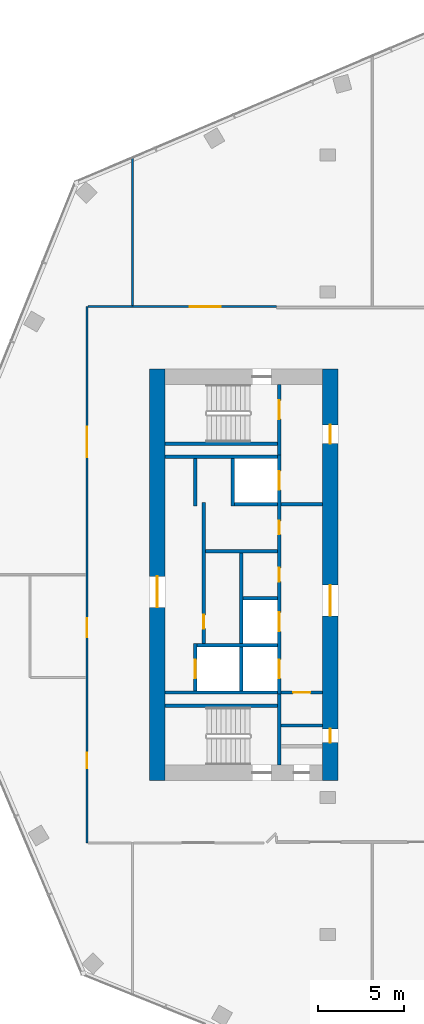
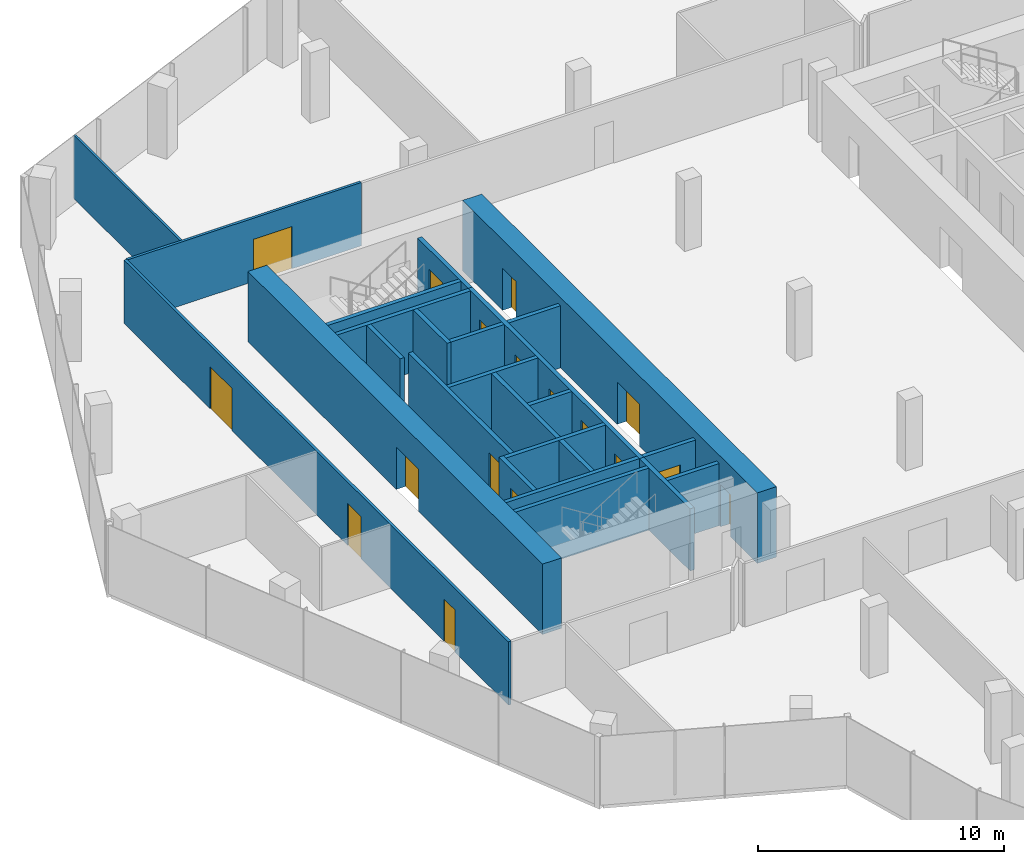
# One storey, part 13 of 17: 25 walls, 17 doors, 17 openings.
"""IFC4 building model written with IfcOpenShell, lengths in metres."""

from ifc_helpers import new_model, si_unit, direction, frame, frame_2d, origin, place, context, subcontext, project, spatial, rectangle, extrude, material, layer, layer_set, type_object, element, fill, save


model = new_model("IFC4")

# Units and contexts
model_context = context("Model", 3, precision=1e-05, world=origin(), true_north=direction((0.0, 1.0)))
body_context = subcontext(model_context, "Body", "Model", "MODEL_VIEW")
ifc_project = project(units=[si_unit("LENGTHUNIT", "METRE"), si_unit("AREAUNIT", "SQUARE_METRE"), si_unit("VOLUMEUNIT", "CUBIC_METRE"), si_unit("PLANEANGLEUNIT", "RADIAN"), si_unit("MASSUNIT", "GRAM", prefix="KILO")], contexts=[model_context])

# Site, building, storey
site_placement = place(None, origin())
site = spatial("IfcSite", under=ifc_project, at=site_placement, CompositionType="ELEMENT")
building_placement = place(site_placement, origin())
building = spatial("IfcBuilding", under=site, at=building_placement, Name="Orlundy Tower", CompositionType="ELEMENT")
storey_placement = place(building_placement, frame((0.0, 0.0, 289.39990234375)))
storey = spatial("IfcBuildingStorey", under=building, at=storey_placement, Name="L77", CompositionType="ELEMENT", Elevation=289.39990234375)

# Wall, opening, door
ifc_material_1 = material(Name="Concrete C50/60", Category="concrete")
ifc_layer_1 = layer(ifc_material_1, 0.89990234375)
ifc_layer_set_1 = layer_set([ifc_layer_1], Name="CORE WALL 900 C50/60")
wall_type_1 = type_object("IfcWallType", Name="CORE WALL 900 C50/60", PredefinedType="SHEAR", material=ifc_layer_set_1)
wall_1_placement = place(storey_placement, frame((-18.550048828125, -12.0, 0.0), z_axis=(0.0, 0.0, 1.0), x_axis=(0.0, 1.0, 0.0)))
wall_1 = element("IfcWall", 1, at=wall_1_placement, inside=storey, type_object=wall_type_1, Name="Core wall W-W L77", PredefinedType="SHEAR", context=body_context, shape_type="SweptSolid", body=[
    extrude(rectangle(XDim=24.0, YDim=0.89990234375, at=frame_2d((12.0, 0.0))), origin(), (0.0, 0.0, 1.0), 3.5),
])
opening_1_placement = place(wall_1_placement, frame((10.10009765625, 0.0, 0.0)))
opening_1 = element("IfcOpeningElement", 2, at=opening_1_placement, cuts=wall_1, Name="Opening 59009", PredefinedType="OPENING", context=body_context, shape_type="SweptSolid", body=[
    extrude(rectangle(XDim=1.800048828125, YDim=2.10009765625, at=frame_2d((0.89990234375, 1.050048828125))), frame((0.0, 0.4599609375, 0.0), z_axis=(0.0, -1.0, 0.0), x_axis=(1.0, 0.0, 0.0)), (0.0, 0.0, 1.0), 0.919921875),
])
ifc_material_2 = material(Name="Timber door set", Category="wood")
door_type_1 = type_object("IfcDoorType", Name="Lobby Door 1800x2100", OperationType="DOUBLE_DOOR_DOUBLE_SWING", PredefinedType="DOOR", material=ifc_material_2)
door_1_placement = place(opening_1_placement, origin())
door_1 = element("IfcDoor", 3, at=door_1_placement, inside=storey, type_object=door_type_1, Name="Lift lobby door 59009", OperationType="SINGLE_SWING_LEFT", OverallHeight=2.10009765625, OverallWidth=1.800048828125, PredefinedType="DOOR", context=body_context, shape_type="SweptSolid", body=[
    extrude(rectangle(XDim=1.800048828125, YDim=2.10009765625, at=frame_2d((0.89990234375, 1.050048828125))), frame((0.0, 0.02490234375, 0.0), z_axis=(0.0, -1.0, 0.0), x_axis=(1.0, 0.0, 0.0)), (0.0, 0.0, 1.0), 0.050048828125),
])
fill(opening_1, door_1)

# Wall, openings, doors
wall_2_placement = place(storey_placement, frame((-8.449951171875, -12.0, 0.0), z_axis=(0.0, 0.0, 1.0), x_axis=(0.0, 1.0, 0.0)))
wall_2 = element("IfcWall", 4, at=wall_2_placement, inside=storey, type_object=wall_type_1, Name="Core wall W-E L77", PredefinedType="SHEAR", context=body_context, shape_type="SweptSolid", body=[
    extrude(rectangle(XDim=24.0, YDim=0.89990234375, at=frame_2d((12.0, 0.0))), origin(), (0.0, 0.0, 1.0), 3.5),
])
opening_2_placement = place(wall_2_placement, frame((9.60009765625, 0.0, 0.0)))
opening_2 = element("IfcOpeningElement", 5, at=opening_2_placement, cuts=wall_2, Name="Opening 59008", PredefinedType="OPENING", context=body_context, shape_type="SweptSolid", body=[
    extrude(rectangle(XDim=1.800048828125, YDim=2.10009765625, at=frame_2d((0.89990234375, 1.050048828125))), frame((0.0, 0.4599609375, 0.0), z_axis=(0.0, -1.0, 0.0), x_axis=(1.0, 0.0, 0.0)), (0.0, 0.0, 1.0), 0.919921875),
])
opening_3_placement = place(wall_2_placement, frame((19.64990234375, 0.0, 0.0)))
opening_3 = element("IfcOpeningElement", 6, at=opening_3_placement, cuts=wall_2, Name="Opening 59010", PredefinedType="OPENING", context=body_context, shape_type="SweptSolid", body=[
    extrude(rectangle(XDim=1.10009765625, YDim=2.10009765625, at=frame_2d((0.550048828125, 1.050048828125))), frame((0.0, 0.4599609375, 0.0), z_axis=(0.0, -1.0, 0.0), x_axis=(1.0, 0.0, 0.0)), (0.0, 0.0, 1.0), 0.919921875),
])
opening_4_placement = place(wall_2_placement, frame((2.199951171875, 0.0, 0.0)))
opening_4 = element("IfcOpeningElement", 7, at=opening_4_placement, cuts=wall_2, Name="Opening 59015", PredefinedType="OPENING", context=body_context, shape_type="SweptSolid", body=[
    extrude(rectangle(XDim=0.800048828125, YDim=2.10009765625, at=frame_2d((0.39990234375, 1.050048828125))), frame((0.0, 0.4599609375, 0.0), z_axis=(0.0, -1.0, 0.0), x_axis=(1.0, 0.0, 0.0)), (0.0, 0.0, 1.0), 0.919921875),
])
ifc_material_3 = material(Name="Steel door set", Category="steel")
door_type_2 = type_object("IfcDoorType", Name="Fire-fighting Lobby Door 1100x2100", OperationType="SINGLE_SWING_LEFT", PredefinedType="DOOR", material=ifc_material_3)
door_2_placement = place(opening_3_placement, origin())
door_2 = element("IfcDoor", 8, at=door_2_placement, inside=storey, type_object=door_type_2, Name="Fire-fighting lobby door 59010", OperationType="SINGLE_SWING_RIGHT", OverallHeight=2.10009765625, OverallWidth=1.10009765625, PredefinedType="DOOR", context=body_context, shape_type="SweptSolid", body=[
    extrude(rectangle(XDim=1.10009765625, YDim=2.10009765625, at=frame_2d((0.550048828125, 1.050048828125))), frame((0.0, 0.02490234375, 0.0), z_axis=(0.0, -1.0, 0.0), x_axis=(1.0, 0.0, 0.0)), (0.0, 0.0, 1.0), 0.050048828125),
])
fill(opening_3, door_2)
door_3_placement = place(opening_2_placement, origin())
door_3 = element("IfcDoor", 9, at=door_3_placement, inside=storey, type_object=door_type_1, Name="Lift lobby door 59008", OperationType="SINGLE_SWING_LEFT", OverallHeight=2.10009765625, OverallWidth=1.800048828125, PredefinedType="DOOR", context=body_context, shape_type="SweptSolid", body=[
    extrude(rectangle(XDim=1.800048828125, YDim=2.10009765625, at=frame_2d((0.89990234375, 1.050048828125))), frame((0.0, 0.02490234375, 0.0), z_axis=(0.0, -1.0, 0.0), x_axis=(1.0, 0.0, 0.0)), (0.0, 0.0, 1.0), 0.050048828125),
])
fill(opening_2, door_3)
ifc_material_4 = material(Name="Timber door set", Category="wood")
door_type_3 = type_object("IfcDoorType", Name="Riser Door 800x2100", OperationType="SINGLE_SWING_LEFT", PredefinedType="DOOR", material=ifc_material_4)
door_4_placement = place(opening_4_placement, origin())
door_4 = element("IfcDoor", 10, at=door_4_placement, inside=storey, type_object=door_type_3, Name="Door 59015", OperationType="SINGLE_SWING_LEFT", OverallHeight=2.10009765625, OverallWidth=0.800048828125, PredefinedType="DOOR", context=body_context, shape_type="SweptSolid", body=[
    extrude(rectangle(XDim=0.800048828125, YDim=2.10009765625, at=frame_2d((0.39990234375, 1.050048828125))), frame((0.0, 0.02490234375, 0.0), z_axis=(0.0, -1.0, 0.0), x_axis=(1.0, 0.0, 0.0)), (0.0, 0.0, 1.0), 0.050048828125),
])
fill(opening_4, door_4)

# Wall
ifc_material_5 = material(Name="Gypsum board partition")
ifc_layer_2 = layer(ifc_material_5, 0.10009765625)
ifc_layer_set_2 = layer_set([ifc_layer_2], Name="Floor partition 100")
wall_type_2 = type_object("IfcWallType", Name="Floor partition 100", PredefinedType="PARTITIONING", material=ifc_layer_set_2)
wall_3_placement = place(storey_placement, frame((-20.0, 15.712890625, 0.0), z_axis=(0.0, 0.0, 1.0), x_axis=(0.0, 1.0, 0.0)))
element("IfcWall", 11, at=wall_3_placement, inside=storey, type_object=wall_type_2, Name="wall-int-L77-028", PredefinedType="PARTITIONING", context=body_context, shape_type="SweptSolid", body=[
    extrude(rectangle(XDim=8.6611328125, YDim=0.10009765625, at=frame_2d((4.33056640625, 0.0))), origin(), (0.0, 0.0, 1.0), 3.150146484375),
])

# Wall, opening, door
ifc_material_6 = material(Name="Gypsum board partition, double layer")
ifc_layer_3 = layer(ifc_material_6, 0.125)
ifc_layer_set_3 = layer_set([ifc_layer_3], Name="Floor partition 125")
wall_type_3 = type_object("IfcWallType", Name="Floor partition 125", PredefinedType="PARTITIONING", material=ifc_layer_set_3)
wall_4_placement = place(storey_placement, frame((-22.5869140625, 15.65087890625, 0.0), z_axis=(0.0, 0.0, 1.0), x_axis=(1.0, 0.0, 0.0)))
wall_4 = element("IfcWall", 12, at=wall_4_placement, inside=storey, type_object=wall_type_3, Name="wall-int-L77-012", PredefinedType="PARTITIONING", context=body_context, shape_type="SweptSolid", body=[
    extrude(rectangle(XDim=10.995849609375, YDim=0.125, at=frame_2d((5.498046875, 0.0))), origin(), (0.0, 0.0, 1.0), 3.150146484375),
])
opening_5_placement = place(wall_4_placement, frame((5.9375, 0.0, 0.0)))
opening_5 = element("IfcOpeningElement", 13, at=opening_5_placement, cuts=wall_4, Name="Opening 59112", PredefinedType="OPENING", context=body_context, shape_type="SweptSolid", body=[
    extrude(rectangle(XDim=1.800048828125, YDim=2.10009765625, at=frame_2d((0.89990234375, 1.050048828125))), frame((0.0, 0.072509765625, 0.0), z_axis=(0.0, -1.0, 0.0), x_axis=(1.0, 0.0, 0.0)), (0.0, 0.0, 1.0), 0.14501953125),
])
ifc_material_7 = material(Name="Timber door leaf", Category="wood")
door_type_4 = type_object("IfcDoorType", Name="Floor door double 1800 FD30S", OperationType="NOTDEFINED", PredefinedType="DOOR", material=ifc_material_7)
door_5_placement = place(opening_5_placement, origin())
door_5 = element("IfcDoor", 14, at=door_5_placement, inside=storey, type_object=door_type_4, Name="Door 59112", OperationType="DOUBLE_DOOR_SINGLE_SWING", OverallHeight=2.10009765625, OverallWidth=1.800048828125, PredefinedType="DOOR", context=body_context, shape_type="SweptSolid", body=[
    extrude(rectangle(XDim=1.800048828125, YDim=2.10009765625, at=frame_2d((0.89990234375, 1.050048828125))), frame((0.0, 0.02490234375, 0.0), z_axis=(0.0, -1.0, 0.0), x_axis=(1.0, 0.0, 0.0)), (0.0, 0.0, 1.0), 0.050048828125),
])
fill(opening_5, door_5)

# Wall, openings, doors
wall_5_placement = place(storey_placement, frame((-22.64990234375, -15.65087890625, 0.0), z_axis=(0.0, 0.0, 1.0), x_axis=(0.0, 1.0, 0.0)))
wall_5 = element("IfcWall", 15, at=wall_5_placement, inside=storey, type_object=wall_type_3, Name="wall-int-L77-029", PredefinedType="PARTITIONING", context=body_context, shape_type="SweptSolid", body=[
    extrude(rectangle(XDim=31.3017578125, YDim=0.125, at=frame_2d((15.65087890625, 0.0))), origin(), (0.0, 0.0, 1.0), 3.150146484375),
])
opening_6_placement = place(wall_5_placement, frame((4.35009765625, 0.0, 0.0)))
opening_6 = element("IfcOpeningElement", 16, at=opening_6_placement, cuts=wall_5, Name="Opening 59100", PredefinedType="OPENING", context=body_context, shape_type="SweptSolid", body=[
    extrude(rectangle(XDim=0.89990234375, YDim=2.10009765625, at=frame_2d((0.449951171875, 1.050048828125))), frame((0.0, 0.072509765625, 0.0), z_axis=(0.0, -1.0, 0.0), x_axis=(1.0, 0.0, 0.0)), (0.0, 0.0, 1.0), 0.14501953125),
])
opening_7_placement = place(wall_5_placement, frame((22.5009765625, 0.0, 0.0)))
opening_7 = element("IfcOpeningElement", 17, at=opening_7_placement, cuts=wall_5, Name="Opening 59113", PredefinedType="OPENING", context=body_context, shape_type="SweptSolid", body=[
    extrude(rectangle(XDim=1.800048828125, YDim=2.10009765625, at=frame_2d((0.89990234375, 1.050048828125))), frame((0.0, 0.072509765625, 0.0), z_axis=(0.0, -1.0, 0.0), x_axis=(1.0, 0.0, 0.0)), (0.0, 0.0, 1.0), 0.14501953125),
])
opening_8_placement = place(wall_5_placement, frame((12.001953125, 0.0, 0.0)))
opening_8 = element("IfcOpeningElement", 18, at=opening_8_placement, cuts=wall_5, Name="Opening 59115", PredefinedType="OPENING", context=body_context, shape_type="SweptSolid", body=[
    extrude(rectangle(XDim=1.10009765625, YDim=2.10009765625, at=frame_2d((0.550048828125, 1.050048828125))), frame((0.0, 0.072509765625, 0.0), z_axis=(0.0, -1.0, 0.0), x_axis=(1.0, 0.0, 0.0)), (0.0, 0.0, 1.0), 0.14501953125),
])
door_6_placement = place(opening_7_placement, origin())
door_6 = element("IfcDoor", 19, at=door_6_placement, inside=storey, type_object=door_type_4, Name="Door 59113", OperationType="DOUBLE_DOOR_SINGLE_SWING", OverallHeight=2.10009765625, OverallWidth=1.800048828125, PredefinedType="DOOR", context=body_context, shape_type="SweptSolid", body=[
    extrude(rectangle(XDim=1.800048828125, YDim=2.10009765625, at=frame_2d((0.89990234375, 1.050048828125))), frame((0.0, 0.02490234375, 0.0), z_axis=(0.0, -1.0, 0.0), x_axis=(1.0, 0.0, 0.0)), (0.0, 0.0, 1.0), 0.050048828125),
])
fill(opening_7, door_6)
ifc_material_8 = material(Name="Timber door leaf", Category="wood")
door_type_5 = type_object("IfcDoorType", Name="Floor door single 900 FD30S", OperationType="NOTDEFINED", PredefinedType="DOOR", material=ifc_material_8)
door_7_placement = place(opening_6_placement, origin())
door_7 = element("IfcDoor", 20, at=door_7_placement, inside=storey, type_object=door_type_5, Name="Door 59100", OperationType="SINGLE_SWING_LEFT", OverallHeight=2.10009765625, OverallWidth=0.89990234375, PredefinedType="DOOR", context=body_context, shape_type="SweptSolid", body=[
    extrude(rectangle(XDim=0.89990234375, YDim=2.10009765625, at=frame_2d((0.449951171875, 1.050048828125))), frame((0.0, 0.02490234375, 0.0), z_axis=(0.0, -1.0, 0.0), x_axis=(1.0, 0.0, 0.0)), (0.0, 0.0, 1.0), 0.050048828125),
])
fill(opening_6, door_7)
ifc_material_9 = material(Name="Timber door leaf", Category="wood")
door_type_6 = type_object("IfcDoorType", Name="Floor door xwide 1100 FD30S", OperationType="NOTDEFINED", PredefinedType="DOOR", material=ifc_material_9)
door_8_placement = place(opening_8_placement, origin())
door_8 = element("IfcDoor", 21, at=door_8_placement, inside=storey, type_object=door_type_6, Name="Door 59115", OperationType="SINGLE_SWING_LEFT", OverallHeight=2.10009765625, OverallWidth=1.10009765625, PredefinedType="DOOR", context=body_context, shape_type="SweptSolid", body=[
    extrude(rectangle(XDim=1.10009765625, YDim=2.10009765625, at=frame_2d((0.550048828125, 1.050048828125))), frame((0.0, 0.02490234375, 0.0), z_axis=(0.0, -1.0, 0.0), x_axis=(1.0, 0.0, 0.0)), (0.0, 0.0, 1.0), 0.050048828125),
])
fill(opening_8, door_8)

# Wall, opening, door
ifc_material_10 = material(Name="Concrete C40/50", Category="concrete")
ifc_layer_4 = layer(ifc_material_10, 0.199951171875)
ifc_layer_set_4 = layer_set([ifc_layer_4], Name="Load-bearing Shaft Wall 200")
wall_type_4 = type_object("IfcWallType", Name="Load-bearing Shaft Wall 200", PredefinedType="SOLIDWALL", material=ifc_layer_set_4)
wall_6_placement = place(storey_placement, frame((-11.43994140625, 6.97509765625, 0.0), z_axis=(0.0, 0.0, 1.0), x_axis=(0.0, 1.0, 0.0)))
wall_6 = element("IfcWall", 22, at=wall_6_placement, inside=storey, type_object=wall_type_4, Name="Shaft wall W59-stair-end-n", PredefinedType="SOLIDWALL", context=body_context, shape_type="SweptSolid", body=[
    extrude(rectangle(XDim=4.125, YDim=0.199951171875, at=frame_2d((2.0625, 0.0))), origin(), (0.0, 0.0, 1.0), 3.090087890625),
])
opening_9_placement = place(wall_6_placement, frame((2.10009765625, 0.0, 0.0)))
opening_9 = element("IfcOpeningElement", 23, at=opening_9_placement, cuts=wall_6, Name="Opening 59013", PredefinedType="OPENING", context=body_context, shape_type="SweptSolid", body=[
    extrude(rectangle(XDim=1.10009765625, YDim=2.10009765625, at=frame_2d((0.550048828125, 1.050048828125))), frame((0.0, 0.110107421875, 0.0), z_axis=(0.0, -1.0, 0.0), x_axis=(1.0, 0.0, 0.0)), (0.0, 0.0, 1.0), 0.22021484375),
])
door_9_placement = place(opening_9_placement, origin())
door_9 = element("IfcDoor", 24, at=door_9_placement, inside=storey, type_object=door_type_2, Name="Fire-fighting lobby to stair door 59013", OperationType="SINGLE_SWING_RIGHT", OverallHeight=2.10009765625, OverallWidth=1.10009765625, PredefinedType="DOOR", context=body_context, shape_type="SweptSolid", body=[
    extrude(rectangle(XDim=1.10009765625, YDim=2.10009765625, at=frame_2d((0.550048828125, 1.050048828125))), frame((0.0, 0.02490234375, 0.0), z_axis=(0.0, -1.0, 0.0), x_axis=(1.0, 0.0, 0.0)), (0.0, 0.0, 1.0), 0.050048828125),
])
fill(opening_9, door_9)

# Walls
wall_7_placement = place(storey_placement, frame((-11.5400390625, 7.64990234375, 0.0), z_axis=(0.0, 0.0, 1.0), x_axis=(-1.0, 0.0, 0.0)))
element("IfcWall", 25, at=wall_7_placement, inside=storey, type_object=wall_type_4, Name="Shaft wall W59-stair-side-n", PredefinedType="SOLIDWALL", context=body_context, shape_type="SweptSolid", body=[
    extrude(rectangle(XDim=6.56005859375, YDim=0.199951171875, at=frame_2d((3.280029296875, 0.0))), origin(), (0.0, 0.0, 1.0), 3.090087890625),
])
wall_8_placement = place(storey_placement, frame((-11.43994140625, -11.10009765625, 0.0), z_axis=(0.0, 0.0, 1.0), x_axis=(0.0, 1.0, 0.0)))
element("IfcWall", 26, at=wall_8_placement, inside=storey, type_object=wall_type_4, Name="Shaft wall W59-stair-end-s", PredefinedType="SOLIDWALL", context=body_context, shape_type="SweptSolid", body=[
    extrude(rectangle(XDim=4.125, YDim=0.199951171875, at=frame_2d((2.0625, 0.0))), origin(), (0.0, 0.0, 1.0), 3.090087890625),
])
wall_9_placement = place(storey_placement, frame((-11.5400390625, -7.64990234375, 0.0), z_axis=(0.0, 0.0, 1.0), x_axis=(-1.0, 0.0, 0.0)))
element("IfcWall", 27, at=wall_9_placement, inside=storey, type_object=wall_type_4, Name="Shaft wall W59-stair-side-s", PredefinedType="SOLIDWALL", context=body_context, shape_type="SweptSolid", body=[
    extrude(rectangle(XDim=6.56005859375, YDim=0.199951171875, at=frame_2d((3.280029296875, 0.0))), origin(), (0.0, 0.0, 1.0), 3.090087890625),
])
ifc_material_11 = material(Name="Gypsum board partition on steel studs", Category="steel")
ifc_layer_5 = layer(ifc_material_11, 0.199951171875)
ifc_layer_set_5 = layer_set([ifc_layer_5], Name="Partition 200")
wall_type_5 = type_object("IfcWallType", Name="Partition 200", PredefinedType="PARTITIONING", material=ifc_layer_set_5)
wall_10_placement = place(storey_placement, frame((-8.89990234375, 4.125, 0.0), z_axis=(0.0, 0.0, 1.0), x_axis=(-1.0, 0.0, 0.0)))
element("IfcWall", 28, at=wall_10_placement, inside=storey, type_object=wall_type_5, Name="Partition wall W59-lobby-n", PredefinedType="PARTITIONING", context=body_context, shape_type="SweptSolid", body=[
    extrude(rectangle(XDim=2.440185546875, YDim=0.199951171875, at=frame_2d((1.22021484375, 0.0))), origin(), (0.0, 0.0, 1.0), 3.090087890625),
])

# Wall, opening, door
wall_11_placement = place(storey_placement, frame((-8.89990234375, -6.875, 0.0), z_axis=(0.0, 0.0, 1.0), x_axis=(-1.0, 0.0, 0.0)))
wall_11 = element("IfcWall", 29, at=wall_11_placement, inside=storey, type_object=wall_type_5, Name="Partition wall W59-end-s", PredefinedType="PARTITIONING", context=body_context, shape_type="SweptSolid", body=[
    extrude(rectangle(XDim=2.440185546875, YDim=0.199951171875, at=frame_2d((1.22021484375, 0.0))), origin(), (0.0, 0.0, 1.0), 3.090087890625),
])
opening_10_placement = place(wall_11_placement, frame((0.719970703125, 0.0, 0.0)))
opening_10 = element("IfcOpeningElement", 30, at=opening_10_placement, cuts=wall_11, Name="Opening 59016", PredefinedType="OPENING", context=body_context, shape_type="SweptSolid", body=[
    extrude(rectangle(XDim=1.0, YDim=2.10009765625, at=frame_2d((0.5, 1.050048828125))), frame((0.0, 0.110107421875, 0.0), z_axis=(0.0, -1.0, 0.0), x_axis=(1.0, 0.0, 0.0)), (0.0, 0.0, 1.0), 0.22021484375),
])
ifc_material_12 = material(Name="Timber door set", Category="wood")
door_type_7 = type_object("IfcDoorType", Name="Accessible Door 1000x2100", OperationType="SINGLE_SWING_LEFT", PredefinedType="DOOR", material=ifc_material_12)
door_10_placement = place(opening_10_placement, origin())
door_10 = element("IfcDoor", 31, at=door_10_placement, inside=storey, type_object=door_type_7, Name="Accessible WC door 59016", OperationType="SINGLE_SWING_RIGHT", OverallHeight=2.10009765625, OverallWidth=1.0, PredefinedType="DOOR", context=body_context, shape_type="SweptSolid", body=[
    extrude(rectangle(XDim=1.0, YDim=2.10009765625, at=frame_2d((0.5, 1.050048828125))), frame((0.0, 0.02490234375, 0.0), z_axis=(0.0, -1.0, 0.0), x_axis=(1.0, 0.0, 0.0)), (0.0, 0.0, 1.0), 0.050048828125),
])
fill(opening_10, door_10)

# Walls
wall_12_placement = place(storey_placement, frame((-8.89990234375, -8.800048828125, 0.0), z_axis=(0.0, 0.0, 1.0), x_axis=(-1.0, 0.0, 0.0)))
element("IfcWall", 32, at=wall_12_placement, inside=storey, type_object=wall_type_5, Name="Partition wall W59-room-s1", PredefinedType="PARTITIONING", context=body_context, shape_type="SweptSolid", body=[
    extrude(rectangle(XDim=2.440185546875, YDim=0.199951171875, at=frame_2d((1.22021484375, 0.0))), origin(), (0.0, 0.0, 1.0), 3.090087890625),
])
ifc_material_13 = material(Name="Fire-rated blockwork shaft wall", Category="masonry")
ifc_layer_6 = layer(ifc_material_13, 0.199951171875)
ifc_layer_set_6 = layer_set([ifc_layer_6], Name="Shaft Wall 200")
wall_type_6 = type_object("IfcWallType", Name="Shaft Wall 200", PredefinedType="SOLIDWALL", material=ifc_layer_set_6)
for number, where, z_axis, x_axis, name in (
    (33, (-11.5400390625, 6.875, 0.0), (0.0, 0.0, 1.0), (-1.0, 0.0, 0.0), "Shaft wall W59-zone-n"),
    (34, (-11.5400390625, -6.875, 0.0), (0.0, 0.0, 1.0), (-1.0, 0.0, 0.0), "Shaft wall W59-zone-s"),
):
    element("IfcWall", number, at=place(storey_placement, frame(where, z_axis=z_axis, x_axis=x_axis)), inside=storey, type_object=wall_type_6, Name=name, PredefinedType="SOLIDWALL", context=body_context, shape_type="SweptSolid", body=[
        extrude(rectangle(XDim=6.56005859375, YDim=0.199951171875, at=frame_2d((3.280029296875, 0.0))), origin(), (0.0, 0.0, 1.0), 3.090087890625),
    ])
wall_13_placement = place(storey_placement, frame((-11.5400390625, -4.125, 0.0), z_axis=(0.0, 0.0, 1.0), x_axis=(-1.0, 0.0, 0.0)))
element("IfcWall", 35, at=wall_13_placement, inside=storey, type_object=wall_type_6, Name="Shaft wall W59-cross-4.125", PredefinedType="SOLIDWALL", context=body_context, shape_type="SweptSolid", body=[
    extrude(rectangle(XDim=4.699951171875, YDim=0.199951171875, at=frame_2d((2.35009765625, 0.0))), origin(), (0.0, 0.0, 1.0), 3.090087890625),
])
wall_14_placement = place(storey_placement, frame((-11.5400390625, -1.375, 0.0), z_axis=(0.0, 0.0, 1.0), x_axis=(-1.0, 0.0, 0.0)))
element("IfcWall", 36, at=wall_14_placement, inside=storey, type_object=wall_type_6, Name="Shaft wall W59-cross-1.375", PredefinedType="SOLIDWALL", context=body_context, shape_type="SweptSolid", body=[
    extrude(rectangle(XDim=2.0, YDim=0.199951171875, at=frame_2d((1.0, 0.0))), origin(), (0.0, 0.0, 1.0), 3.090087890625),
])
wall_15_placement = place(storey_placement, frame((-11.5400390625, 1.375, 0.0), z_axis=(0.0, 0.0, 1.0), x_axis=(-1.0, 0.0, 0.0)))
element("IfcWall", 37, at=wall_15_placement, inside=storey, type_object=wall_type_6, Name="Shaft wall W59-cross+1.375", PredefinedType="SOLIDWALL", context=body_context, shape_type="SweptSolid", body=[
    extrude(rectangle(XDim=4.199951171875, YDim=0.199951171875, at=frame_2d((2.10009765625, 0.0))), origin(), (0.0, 0.0, 1.0), 3.090087890625),
])
wall_16_placement = place(storey_placement, frame((-11.5400390625, 4.125, 0.0), z_axis=(0.0, 0.0, 1.0), x_axis=(-1.0, 0.0, 0.0)))
element("IfcWall", 38, at=wall_16_placement, inside=storey, type_object=wall_type_6, Name="Shaft wall W59-cross+4.125", PredefinedType="SOLIDWALL", context=body_context, shape_type="SweptSolid", body=[
    extrude(rectangle(XDim=2.5, YDim=0.199951171875, at=frame_2d((1.25, 0.0))), origin(), (0.0, 0.0, 1.0), 3.090087890625),
])

# Wall, openings, doors
wall_17_placement = place(storey_placement, frame((-11.43994140625, -6.97509765625, 0.0), z_axis=(0.0, 0.0, 1.0), x_axis=(0.0, 1.0, 0.0)))
wall_17 = element("IfcWall", 39, at=wall_17_placement, inside=storey, type_object=wall_type_6, Name="Shaft wall W59-front-h", PredefinedType="SOLIDWALL", context=body_context, shape_type="SweptSolid", body=[
    extrude(rectangle(XDim=13.9501953125, YDim=0.199951171875, at=frame_2d((6.97509765625, 0.0))), origin(), (0.0, 0.0, 1.0), 3.090087890625),
])
opening_11_placement = place(wall_17_placement, frame((0.925048828125, 0.0, 0.0)))
opening_11 = element("IfcOpeningElement", 40, at=opening_11_placement, cuts=wall_17, Name="Opening 59001", PredefinedType="OPENING", context=body_context, shape_type="SweptSolid", body=[
    extrude(rectangle(XDim=1.10009765625, YDim=2.10009765625, at=frame_2d((0.550048828125, 1.050048828125))), frame((0.0, 0.110107421875, 0.0), z_axis=(0.0, -1.0, 0.0), x_axis=(1.0, 0.0, 0.0)), (0.0, 0.0, 1.0), 0.22021484375),
])
opening_12_placement = place(wall_17_placement, frame((3.675048828125, 0.0, 0.0)))
opening_12 = element("IfcOpeningElement", 41, at=opening_12_placement, cuts=wall_17, Name="Opening 59003", PredefinedType="OPENING", context=body_context, shape_type="SweptSolid", body=[
    extrude(rectangle(XDim=1.10009765625, YDim=2.10009765625, at=frame_2d((0.550048828125, 1.050048828125))), frame((0.0, 0.110107421875, 0.0), z_axis=(0.0, -1.0, 0.0), x_axis=(1.0, 0.0, 0.0)), (0.0, 0.0, 1.0), 0.22021484375),
])
opening_13_placement = place(wall_17_placement, frame((11.925048828125, 0.0, 0.0)))
opening_13 = element("IfcOpeningElement", 42, at=opening_13_placement, cuts=wall_17, Name="Opening 59004", PredefinedType="OPENING", context=body_context, shape_type="SweptSolid", body=[
    extrude(rectangle(XDim=1.10009765625, YDim=2.10009765625, at=frame_2d((0.550048828125, 1.050048828125))), frame((0.0, 0.110107421875, 0.0), z_axis=(0.0, -1.0, 0.0), x_axis=(1.0, 0.0, 0.0)), (0.0, 0.0, 1.0), 0.22021484375),
])
opening_14_placement = place(wall_17_placement, frame((6.574951171875, 0.0, 0.0)))
opening_14 = element("IfcOpeningElement", 43, at=opening_14_placement, cuts=wall_17, Name="Opening 59006", PredefinedType="OPENING", context=body_context, shape_type="SweptSolid", body=[
    extrude(rectangle(XDim=0.800048828125, YDim=2.10009765625, at=frame_2d((0.39990234375, 1.050048828125))), frame((0.0, 0.110107421875, 0.0), z_axis=(0.0, -1.0, 0.0), x_axis=(1.0, 0.0, 0.0)), (0.0, 0.0, 1.0), 0.22021484375),
])
opening_15_placement = place(wall_17_placement, frame((9.324951171875, 0.0, 0.0)))
opening_15 = element("IfcOpeningElement", 44, at=opening_15_placement, cuts=wall_17, Name="Opening 59007", PredefinedType="OPENING", context=body_context, shape_type="SweptSolid", body=[
    extrude(rectangle(XDim=0.800048828125, YDim=2.10009765625, at=frame_2d((0.39990234375, 1.050048828125))), frame((0.0, 0.110107421875, 0.0), z_axis=(0.0, -1.0, 0.0), x_axis=(1.0, 0.0, 0.0)), (0.0, 0.0, 1.0), 0.22021484375),
])
ifc_material_14 = material(Name="Steel door set", Category="steel")
door_type_8 = type_object("IfcDoorType", Name="Landing Door 1100x2100", OperationType="DOUBLE_DOOR_SLIDING", PredefinedType="DOOR", material=ifc_material_14)
door_11_placement = place(opening_11_placement, origin())
door_11 = element("IfcDoor", 45, at=door_11_placement, inside=storey, type_object=door_type_8, Name="Lift landing door LP-22 59001", OperationType="DOUBLE_DOOR_SLIDING", OverallHeight=2.10009765625, OverallWidth=1.10009765625, PredefinedType="DOOR", context=body_context, shape_type="SweptSolid", body=[
    extrude(rectangle(XDim=1.10009765625, YDim=2.10009765625, at=frame_2d((0.550048828125, 1.050048828125))), frame((0.0, 0.02490234375, 0.0), z_axis=(0.0, -1.0, 0.0), x_axis=(1.0, 0.0, 0.0)), (0.0, 0.0, 1.0), 0.050048828125),
])
fill(opening_11, door_11)
door_12_placement = place(opening_12_placement, origin())
door_12 = element("IfcDoor", 46, at=door_12_placement, inside=storey, type_object=door_type_8, Name="Lift landing door LP-21 59003", OperationType="DOUBLE_DOOR_SLIDING", OverallHeight=2.10009765625, OverallWidth=1.10009765625, PredefinedType="DOOR", context=body_context, shape_type="SweptSolid", body=[
    extrude(rectangle(XDim=1.10009765625, YDim=2.10009765625, at=frame_2d((0.550048828125, 1.050048828125))), frame((0.0, 0.02490234375, 0.0), z_axis=(0.0, -1.0, 0.0), x_axis=(1.0, 0.0, 0.0)), (0.0, 0.0, 1.0), 0.050048828125),
])
fill(opening_12, door_12)
door_13_placement = place(opening_13_placement, origin())
door_13 = element("IfcDoor", 47, at=door_13_placement, inside=storey, type_object=door_type_8, Name="Lift landing door FL1 59004", OperationType="DOUBLE_DOOR_SLIDING", OverallHeight=2.10009765625, OverallWidth=1.10009765625, PredefinedType="DOOR", context=body_context, shape_type="SweptSolid", body=[
    extrude(rectangle(XDim=1.10009765625, YDim=2.10009765625, at=frame_2d((0.550048828125, 1.050048828125))), frame((0.0, 0.02490234375, 0.0), z_axis=(0.0, -1.0, 0.0), x_axis=(1.0, 0.0, 0.0)), (0.0, 0.0, 1.0), 0.050048828125),
])
fill(opening_13, door_13)
door_14_placement = place(opening_14_placement, origin())
door_14 = element("IfcDoor", 48, at=door_14_placement, inside=storey, type_object=door_type_3, Name="Records Store door 59006", OperationType="SINGLE_SWING_LEFT", OverallHeight=2.10009765625, OverallWidth=0.800048828125, PredefinedType="DOOR", context=body_context, shape_type="SweptSolid", body=[
    extrude(rectangle(XDim=0.800048828125, YDim=2.10009765625, at=frame_2d((0.39990234375, 1.050048828125))), frame((0.0, 0.02490234375, 0.0), z_axis=(0.0, -1.0, 0.0), x_axis=(1.0, 0.0, 0.0)), (0.0, 0.0, 1.0), 0.050048828125),
])
fill(opening_14, door_14)
door_15_placement = place(opening_15_placement, origin())
door_15 = element("IfcDoor", 49, at=door_15_placement, inside=storey, type_object=door_type_3, Name="Cleaner's Store door 59007", OperationType="SINGLE_SWING_LEFT", OverallHeight=2.10009765625, OverallWidth=0.800048828125, PredefinedType="DOOR", context=body_context, shape_type="SweptSolid", body=[
    extrude(rectangle(XDim=0.800048828125, YDim=2.10009765625, at=frame_2d((0.39990234375, 1.050048828125))), frame((0.0, 0.02490234375, 0.0), z_axis=(0.0, -1.0, 0.0), x_axis=(1.0, 0.0, 0.0)), (0.0, 0.0, 1.0), 0.050048828125),
])
fill(opening_15, door_15)

# Walls
wall_18_placement = place(storey_placement, frame((-13.639892578125, -6.77490234375, 0.0), z_axis=(0.0, 0.0, 1.0), x_axis=(0.0, 1.0, 0.0)))
element("IfcWall", 50, at=wall_18_placement, inside=storey, type_object=wall_type_6, Name="Shaft wall W59-mid-a", PredefinedType="SOLIDWALL", context=body_context, shape_type="SweptSolid", body=[
    extrude(rectangle(XDim=2.5498046875, YDim=0.199951171875, at=frame_2d((1.27490234375, 0.0))), origin(), (0.0, 0.0, 1.0), 3.090087890625),
])
wall_19_placement = place(storey_placement, frame((-13.639892578125, -4.02490234375, 0.0), z_axis=(0.0, 0.0, 1.0), x_axis=(0.0, 1.0, 0.0)))
element("IfcWall", 51, at=wall_19_placement, inside=storey, type_object=wall_type_6, Name="Shaft wall W59-mid-a.1", PredefinedType="SOLIDWALL", context=body_context, shape_type="SweptSolid", body=[
    extrude(rectangle(XDim=5.2998046875, YDim=0.199951171875, at=frame_2d((2.64990234375, 0.0))), origin(), (0.0, 0.0, 1.0), 3.090087890625),
])
wall_20_placement = place(storey_placement, frame((-14.139892578125, 4.02490234375, 0.0), z_axis=(0.0, 0.0, 1.0), x_axis=(0.0, 1.0, 0.0)))
element("IfcWall", 52, at=wall_20_placement, inside=storey, type_object=wall_type_6, Name="Shaft wall W59-mid-b", PredefinedType="SOLIDWALL", context=body_context, shape_type="SweptSolid", body=[
    extrude(rectangle(XDim=2.75, YDim=0.199951171875, at=frame_2d((1.375, 0.0))), origin(), (0.0, 0.0, 1.0), 3.090087890625),
])

# Wall, opening, door
wall_21_placement = place(storey_placement, frame((-16.340087890625, -6.77490234375, 0.0), z_axis=(0.0, 0.0, 1.0), x_axis=(0.0, 1.0, 0.0)))
wall_21 = element("IfcWall", 53, at=wall_21_placement, inside=storey, type_object=wall_type_6, Name="Shaft wall W59-front-o-a", PredefinedType="SOLIDWALL", context=body_context, shape_type="SweptSolid", body=[
    extrude(rectangle(XDim=2.75, YDim=0.199951171875, at=frame_2d((1.375, 0.0))), origin(), (0.0, 0.0, 1.0), 3.090087890625),
])
opening_16_placement = place(wall_21_placement, frame((0.72509765625, 0.0, 0.0)))
opening_16 = element("IfcOpeningElement", 54, at=opening_16_placement, cuts=wall_21, Name="Opening 59002", PredefinedType="OPENING", context=body_context, shape_type="SweptSolid", body=[
    extrude(rectangle(XDim=1.10009765625, YDim=2.10009765625, at=frame_2d((0.550048828125, 1.050048828125))), frame((0.0, 0.110107421875, 0.0), z_axis=(0.0, -1.0, 0.0), x_axis=(1.0, 0.0, 0.0)), (0.0, 0.0, 1.0), 0.22021484375),
])
door_16_placement = place(opening_16_placement, origin())
door_16 = element("IfcDoor", 55, at=door_16_placement, inside=storey, type_object=door_type_8, Name="Lift landing door LV-01 59002", OperationType="DOUBLE_DOOR_SLIDING", OverallHeight=2.10009765625, OverallWidth=1.10009765625, PredefinedType="DOOR", context=body_context, shape_type="SweptSolid", body=[
    extrude(rectangle(XDim=1.10009765625, YDim=2.10009765625, at=frame_2d((0.550048828125, 1.050048828125))), frame((0.0, 0.02490234375, 0.0), z_axis=(0.0, -1.0, 0.0), x_axis=(1.0, 0.0, 0.0)), (0.0, 0.0, 1.0), 0.050048828125),
])
fill(opening_16, door_16)

wall_22_placement = place(storey_placement, frame((-15.840087890625, -4.02490234375, 0.0), z_axis=(0.0, 0.0, 1.0), x_axis=(0.0, 1.0, 0.0)))
wall_22 = element("IfcWall", 56, at=wall_22_placement, inside=storey, type_object=wall_type_6, Name="Shaft wall W59-front-o-b", PredefinedType="SOLIDWALL", context=body_context, shape_type="SweptSolid", body=[
    extrude(rectangle(XDim=8.25, YDim=0.199951171875, at=frame_2d((4.125, 0.0))), origin(), (0.0, 0.0, 1.0), 3.090087890625),
])
opening_17_placement = place(wall_22_placement, frame((0.875, 0.0, 0.0)))
opening_17 = element("IfcOpeningElement", 57, at=opening_17_placement, cuts=wall_22, Name="Opening 59005", PredefinedType="OPENING", context=body_context, shape_type="SweptSolid", body=[
    extrude(rectangle(XDim=0.800048828125, YDim=2.10009765625, at=frame_2d((0.39990234375, 1.050048828125))), frame((0.0, 0.110107421875, 0.0), z_axis=(0.0, -1.0, 0.0), x_axis=(1.0, 0.0, 0.0)), (0.0, 0.0, 1.0), 0.22021484375),
])
door_17_placement = place(opening_17_placement, origin())
door_17 = element("IfcDoor", 58, at=door_17_placement, inside=storey, type_object=door_type_3, Name="Refuse Room door 59005", OperationType="SINGLE_SWING_LEFT", OverallHeight=2.10009765625, OverallWidth=0.800048828125, PredefinedType="DOOR", context=body_context, shape_type="SweptSolid", body=[
    extrude(rectangle(XDim=0.800048828125, YDim=2.10009765625, at=frame_2d((0.39990234375, 1.050048828125))), frame((0.0, 0.02490234375, 0.0), z_axis=(0.0, -1.0, 0.0), x_axis=(1.0, 0.0, 0.0)), (0.0, 0.0, 1.0), 0.050048828125),
])
fill(opening_17, door_17)

# Wall
wall_23_placement = place(storey_placement, frame((-16.340087890625, 4.02490234375, 0.0), z_axis=(0.0, 0.0, 1.0), x_axis=(0.0, 1.0, 0.0)))
element("IfcWall", 59, at=wall_23_placement, inside=storey, type_object=wall_type_6, Name="Shaft wall W59-front-o-c", PredefinedType="SOLIDWALL", context=body_context, shape_type="SweptSolid", body=[
    extrude(rectangle(XDim=2.75, YDim=0.199951171875, at=frame_2d((1.375, 0.0))), origin(), (0.0, 0.0, 1.0), 3.090087890625),
])

save(model, "model.ifc")
